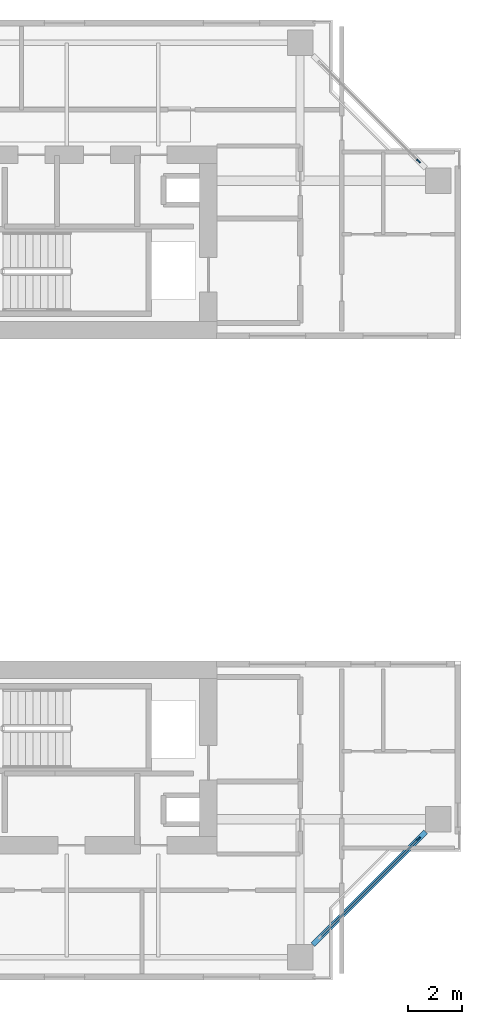
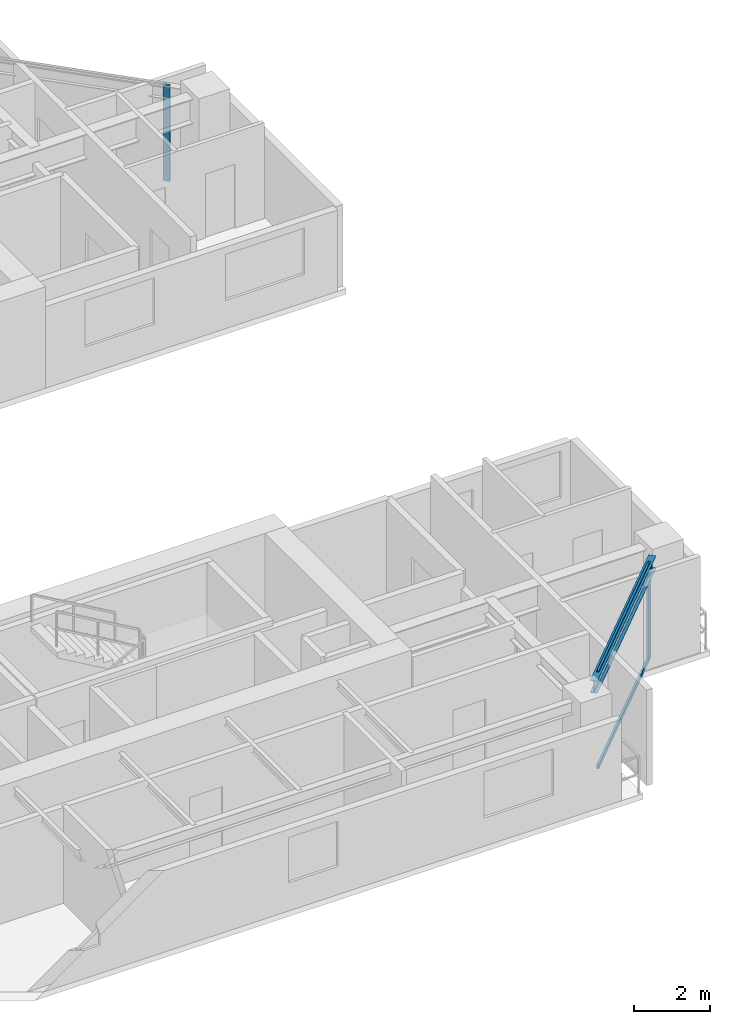
# One storey, part 4 of 12: 4 members, 1 beam, 2 elements without a shape of their own.
"""IFC4 building model written with IfcOpenShell, lengths in metres."""

import ifcopenshell
import ifcopenshell.guid

model = None  # the IFC model being written
_history = None  # IfcOwnerHistory: only IFC2X3 demands one
_inside = {}  # id of a spatial element -> (the spatial element, [elements in it])
_under = {}  # id of a project, library or spatial element -> (it, [spatial elements below it])
_declared = {}  # id of a project -> (the project, [libraries it declares])
_typed = {}  # id of a type object -> (the type object, [elements of that type])
_made_of = {}  # id of a material, layer set ... -> (it, [elements and type objects made of it])


def new_model(schema):
    """Start an empty IFC model of exactly this schema.

    Asked for "IFC4X3", IfcOpenShell would pick the latest addendum, in which some entities
    have other attributes; the version numbers below select the first issue.
    IFC2X3 requires an IfcOwnerHistory on every rooted entity: one is made here for all.
    """
    global model, _history
    if schema == "IFC4X3":
        model = ifcopenshell.file(schema_version=(4, 3, 0, 0))
    else:
        model = ifcopenshell.file(schema=schema)
    _inside.clear()
    _under.clear()
    _declared.clear()
    _typed.clear()
    _made_of.clear()
    _history = None
    if model.schema == "IFC2X3":
        org = make("IfcOrganization", Name="unknown")
        user = make(
            "IfcPersonAndOrganization",
            ThePerson=make("IfcPerson", FamilyName="unknown"),
            TheOrganization=org,
        )
        app = make(
            "IfcApplication",
            ApplicationDeveloper=org,
            Version="unknown",
            ApplicationFullName="unknown",
            ApplicationIdentifier="unknown",
        )
        _history = make(
            "IfcOwnerHistory",
            OwningUser=user,
            OwningApplication=app,
            ChangeAction="ADDED",
            CreationDate=0,
        )
    return model


def make(cls, **values):
    """One entity of the class cls with the attributes given. An attribute that is None is left unset."""
    return model.create_entity(
        cls, **{name: value for name, value in values.items() if value is not None}
    )


def rooted(cls, **values):
    """An entity with a GlobalId (a new one), such as an element, a storey or a relation."""
    return make(cls, GlobalId=ifcopenshell.guid.new(), OwnerHistory=_history, **values)


def si_unit(unit_type, name, prefix=None):
    """IfcSIUnit, for example si_unit("LENGTHUNIT", "METRE", prefix="MILLI")."""
    return make("IfcSIUnit", UnitType=unit_type, Prefix=prefix, Name=name)


def assignment(units):
    """IfcUnitAssignment: the units of a project."""
    return None if units is None else make("IfcUnitAssignment", Units=units)


def point(xyz):
    """IfcCartesianPoint."""
    return None if xyz is None else make("IfcCartesianPoint", Coordinates=xyz)


def direction(xyz):
    """IfcDirection."""
    return None if xyz is None else make("IfcDirection", DirectionRatios=xyz)


def frame(location, z_axis=None, x_axis=None):
    """IfcAxis2Placement3D, a coordinate frame: its origin and axes. An axis left out is left unset."""
    return make(
        "IfcAxis2Placement3D",
        Location=point(location),
        Axis=direction(z_axis),
        RefDirection=direction(x_axis),
    )


def frame_2d(location, x_axis=None):
    """IfcAxis2Placement2D, a coordinate frame in the plane: its origin and x axis."""
    return make(
        "IfcAxis2Placement2D", Location=point(location), RefDirection=direction(x_axis)
    )


def origin():
    """The frame at (0, 0, 0) with its axes left unset."""
    return frame((0.0, 0.0, 0.0))


def origin_2d():
    """The frame at (0, 0) in the plane with its x axis left unset."""
    return frame_2d((0.0, 0.0))


def place(relative_to, where):
    """IfcLocalPlacement: puts the frame where relative to a parent placement (None: the world)."""
    return make(
        "IfcLocalPlacement", PlacementRelTo=relative_to, RelativePlacement=where
    )


def context(
    kind, dimensions, precision=None, world=None, true_north=None, identifier=None
):
    """IfcGeometricRepresentationContext, for example the 3D "Model" context."""
    return make(
        "IfcGeometricRepresentationContext",
        ContextIdentifier=identifier,
        ContextType=kind,
        CoordinateSpaceDimension=dimensions,
        Precision=precision,
        WorldCoordinateSystem=world,
        TrueNorth=true_north,
    )


def subcontext(parent, identifier, kind, view, scale=None):
    """IfcGeometricRepresentationSubContext, for example "Body" below "Model"."""
    return make(
        "IfcGeometricRepresentationSubContext",
        ContextIdentifier=identifier,
        ContextType=kind,
        ParentContext=parent,
        TargetScale=scale,
        TargetView=view,
    )


def project(units=None, contexts=None):
    """IfcProject with its units and contexts."""
    return rooted(
        "IfcProject",
        Name="project",
        RepresentationContexts=contexts,
        UnitsInContext=assignment(units),
    )


def spatial(cls, under=None, at=None, **own):
    """A site, building, storey or space (cls), placed at a placement, below another one or the project."""
    s = rooted(cls, ObjectPlacement=at, **own)
    if under is not None:
        _under.setdefault(under.id(), (under, []))[1].append(s)
    return s


def profile(cls, at=None, kind="AREA", **sizes):
    """A parametric profile (cls). Its sizes go by their IFC names, for example OverallWidth=200.0."""
    return make(cls, ProfileType=kind, Position=at, **sizes)


def rectangle(**sizes):
    """IfcRectangleProfileDef."""
    return profile("IfcRectangleProfileDef", **sizes)


def i_section(**sizes):
    """IfcIShapeProfileDef."""
    return profile("IfcIShapeProfileDef", **sizes)


def extrude(swept, where, along, depth):
    """IfcExtrudedAreaSolid: the profile swept, set in the frame where, extruded along a direction by depth."""
    return make(
        "IfcExtrudedAreaSolid",
        SweptArea=swept,
        Position=where,
        ExtrudedDirection=direction(along),
        Depth=depth,
    )


def shape(context_of_items, identifier, shape_type, items):
    """IfcShapeRepresentation: the items that make up one representation, for example the "Body"."""
    return make(
        "IfcShapeRepresentation",
        ContextOfItems=context_of_items,
        RepresentationIdentifier=identifier,
        RepresentationType=shape_type,
        Items=items,
    )


def source(mapping_origin, context_of_items, identifier, shape_type, items):
    """IfcRepresentationMap: a shape defined once, which mapped items show again and again."""
    return make(
        "IfcRepresentationMap",
        MappingOrigin=mapping_origin,
        MappedRepresentation=shape(context_of_items, identifier, shape_type, items),
    )


def transform(
    local_origin,
    x_axis=None,
    y_axis=None,
    z_axis=None,
    scale=None,
    scale2=None,
    scale3=None,
    uniform=True,
):
    """IfcCartesianTransformationOperator3D, or its non-uniform kind. x_axis, y_axis, z_axis: its Axis1, 2, 3."""
    if uniform:
        return make(
            "IfcCartesianTransformationOperator3D",
            Axis1=direction(x_axis),
            Axis2=direction(y_axis),
            LocalOrigin=point(local_origin),
            Scale=scale,
            Axis3=direction(z_axis),
        )
    return make(
        "IfcCartesianTransformationOperator3DnonUniform",
        Axis1=direction(x_axis),
        Axis2=direction(y_axis),
        LocalOrigin=point(local_origin),
        Scale=scale,
        Axis3=direction(z_axis),
        Scale2=scale2,
        Scale3=scale3,
    )


def mapped(mapping_source, mapping_target):
    """IfcMappedItem: shows the shape of a source again, moved by a transform."""
    return make(
        "IfcMappedItem", MappingSource=mapping_source, MappingTarget=mapping_target
    )


def material(Name=None, Category=None):
    """IfcMaterial."""
    return make("IfcMaterial", Name=Name, Category=Category)


def layer(
    of_material, thickness, ventilated=None, Name=None, Category=None, Priority=None
):
    """IfcMaterialLayer: one layer of a wall or slab, of a material (None: an air gap)."""
    return make(
        "IfcMaterialLayer",
        Material=of_material,
        LayerThickness=thickness,
        IsVentilated=ventilated,
        Name=Name,
        Category=Category,
        Priority=Priority,
    )


def layer_set(layers, Name=None):
    """IfcMaterialLayerSet."""
    return make("IfcMaterialLayerSet", MaterialLayers=layers, LayerSetName=Name)


def material_profile(
    of_material, cross_section, Name=None, Category=None, Priority=None
):
    """IfcMaterialProfile: a cross section and its material."""
    return make(
        "IfcMaterialProfile",
        Name=Name,
        Material=of_material,
        Profile=cross_section,
        Priority=Priority,
        Category=Category,
    )


def profile_set(profiles, Name=None, composite=None):
    """IfcMaterialProfileSet."""
    return make(
        "IfcMaterialProfileSet",
        Name=Name,
        MaterialProfiles=profiles,
        CompositeProfile=composite,
    )


def made_of(thing, what):
    """Note that an element or type object is made of a material, layer set ...; save() writes the relation."""
    if what is not None:
        _made_of.setdefault(what.id(), (what, []))[1].append(thing)
    return thing


def type_object(cls, material=None, **own):
    """A type object (cls), such as IfcWallType, which elements share."""
    return made_of(rooted(cls, **own), material)


def element(
    cls,
    number,
    at=None,
    inside=None,
    cuts=None,
    type_object=None,
    material=None,
    context=None,
    identifier="Body",
    shape_type=None,
    held_by="IfcProductDefinitionShape",
    body=None,
    shapes=None,
    **own,
):
    """One element of the class cls, such as IfcWall. Its Tag is "e" and its number.

    at: its placement. inside: the storey or other place that contains it. cuts: it is an
    opening in that element (IfcRelVoidsElement). A single representation is given by context,
    identifier, shape_type and body (its items); several are given by shapes. held_by: the class
    of the entity that holds the representations. save() writes the other relations.
    """
    e = rooted(cls, Tag="e%d" % number, ObjectPlacement=at, **own)
    if body is not None:
        shapes = [shape(context, identifier, shape_type, body)]
    if shapes is not None:
        e.Representation = make(held_by, Representations=shapes)
    if inside is not None:
        _inside.setdefault(inside.id(), (inside, []))[1].append(e)
    if cuts is not None:
        rooted(
            "IfcRelVoidsElement", RelatingBuildingElement=cuts, RelatedOpeningElement=e
        )
    if type_object is not None:
        _typed.setdefault(type_object.id(), (type_object, []))[1].append(e)
    return made_of(e, material)


def aggregate(whole, parts):
    """IfcRelAggregates: a whole, such as a stair, and the parts it consists of."""
    return rooted("IfcRelAggregates", RelatingObject=whole, RelatedObjects=parts)


def save(model, path):
    """Write the relations noted so far, then the file.

    IfcRelAggregates (storeys below a building ...), IfcRelContainedInSpatialStructure (elements
    in a storey), IfcRelDefinesByType, IfcRelAssociatesMaterial and IfcRelDeclares: one each for
    every whole, place, type object, material and project.
    """
    for whole, parts in _under.values():
        aggregate(whole, parts)
    for where, things in _inside.values():
        rooted(
            "IfcRelContainedInSpatialStructure",
            RelatedElements=things,
            RelatingStructure=where,
        )
    for kind, things in _typed.values():
        rooted("IfcRelDefinesByType", RelatedObjects=things, RelatingType=kind)
    for what, things in _made_of.values():
        rooted("IfcRelAssociatesMaterial", RelatedObjects=things, RelatingMaterial=what)
    for by, libraries in _declared.values():
        rooted("IfcRelDeclares", RelatingContext=by, RelatedDefinitions=libraries)
    model.write(path)


model = new_model("IFC4")

# Units and contexts
model_context = context("Model", 3, precision=1e-05, world=origin(), true_north=direction((0.0, 1.0)))
body_context = subcontext(model_context, "Body", "Model", "MODEL_VIEW")
ifc_project = project(units=[si_unit("LENGTHUNIT", "METRE"), si_unit("AREAUNIT", "SQUARE_METRE"), si_unit("VOLUMEUNIT", "CUBIC_METRE"), si_unit("PLANEANGLEUNIT", "RADIAN"), si_unit("MASSUNIT", "GRAM", prefix="KILO"), si_unit("THERMODYNAMICTEMPERATUREUNIT", "KELVIN"), si_unit("POWERUNIT", "WATT")], contexts=[model_context])

# Site, building, storey
site_placement = place(None, origin())
site = spatial("IfcSite", under=ifc_project, at=site_placement, CompositionType="ELEMENT")
building_placement = place(site_placement, origin())
building = spatial("IfcBuilding", under=site, at=building_placement, Name="Qiaomeng Ring Towers", CompositionType="ELEMENT")
storey_placement = place(building_placement, frame((0.0, 0.0, 156.75)))
storey = spatial("IfcBuildingStorey", under=building, at=storey_placement, Name="L45", CompositionType="ELEMENT", Elevation=156.75)

# Beam
ifc_material_1 = material(Name="Steel Q355B", Category="steel")
ifc_material_profile_1 = material_profile(ifc_material_1, i_section(OverallWidth=0.199951171875, OverallDepth=0.39990234375, WebThickness=0.008056640625, FlangeThickness=0.012939453125, FilletRadius=0.01611328125, at=origin_2d()), Name="HN 400x200x8x13")
ifc_profile_set_1 = profile_set([ifc_material_profile_1], Name="Steel Q355B")
beam_type = type_object("IfcBeamType", Name="STR-BM-HN400", PredefinedType="SPANDREL", material=ifc_profile_set_1)
shared_shape_1 = source(origin(), body_context, "Body", "SweptSolid", [
    extrude(i_section(OverallWidth=0.199951171875, OverallDepth=0.39990234375, WebThickness=0.008056640625, FlangeThickness=0.012939453125, FilletRadius=0.01611328125, at=origin_2d()), origin(), (0.0, 0.0, 1.0), 5.941650390625),
])
beam_placement = place(storey_placement, frame((31.374267578125, 6.42431640625, 2.8701171875), z_axis=(0.707106781187, 0.707106781187, 0.0), x_axis=(-0.707106781187, 0.707106781187, 0.0)))
element("IfcBeam", 1, at=beam_placement, inside=storey, type_object=beam_type, Name="L45 beam STR-SP-L45-T1-S2-E1", PredefinedType="SPANDREL", context=body_context, shape_type="MappedRepresentation", body=[
    mapped(shared_shape_1, transform((0.0, 0.0, 0.0), x_axis=(1.0, 0.0, 0.0), y_axis=(0.0, 1.0, 0.0), z_axis=(0.0, 0.0, 1.0), scale=1.0)),
])

# Curtain wall, member
ifc_material_2 = material(Name="Fluorocarbon dark-grey aluminium", Category="aluminium")
ifc_layer = layer(ifc_material_2, 0.14990234375, Name="Fluorocarbon dark-grey aluminium")
ifc_layer_set = layer_set([ifc_layer], Name="Fluorocarbon dark-grey aluminium")
curtain_wall_type = type_object("IfcCurtainWallType", Name="ARC-CW-3", PredefinedType="NOTDEFINED", material=ifc_layer_set)
curtain_wall_1_placement = place(storey_placement, origin())
curtain_wall_1 = element("IfcCurtainWall", 2, at=curtain_wall_1_placement, inside=storey, type_object=curtain_wall_type, Name="L45 Curtain Wall CW3", PredefinedType="NOTDEFINED")
ifc_material_profile_2 = material_profile(ifc_material_2, rectangle(XDim=0.070068359375, YDim=0.179931640625, at=origin_2d()), Name="ALU MULL 70x180")
ifc_profile_set_2 = profile_set([ifc_material_profile_2], Name="Fluorocarbon dark-grey aluminium")
member_type_1 = type_object("IfcMemberType", Name="ARC-CWM-160", PredefinedType="MULLION", material=ifc_profile_set_2)
shared_shape_2 = source(origin(), body_context, "Body", "SweptSolid", [
    extrude(rectangle(XDim=0.070068359375, YDim=0.179931640625, at=origin_2d()), origin(), (0.0, 0.0, 1.0), 3.070068359375),
])
member_1_placement = place(storey_placement, frame((35.310302734375, 10.3603515625, 0.0), z_axis=(0.0, 0.0, 1.0), x_axis=(-0.707106781187, 0.707106781187, 0.0)))
member_1 = element("IfcMember", 3, at=member_1_placement, type_object=member_type_1, Name="CW3 mullion 2", PredefinedType="MULLION", context=body_context, shape_type="MappedRepresentation", body=[
    mapped(shared_shape_2, transform((0.0, 0.0, 0.0), x_axis=(1.0, 0.0, 0.0), y_axis=(0.0, 1.0, 0.0), z_axis=(0.0, 0.0, 1.0), scale=1.0)),
])

curtain_wall_2_placement = place(storey_placement, origin())
curtain_wall_2 = element("IfcCurtainWall", 4, at=curtain_wall_2_placement, inside=storey, type_object=curtain_wall_type, Name="L45 Curtain Wall CW3", PredefinedType="NOTDEFINED")
member_2_placement = place(storey_placement, frame((35.310302734375, 35.6396484375, 0.0), z_axis=(0.0, 0.0, 1.0), x_axis=(-0.707106781187, -0.707106781187, 0.0)))
member_2 = element("IfcMember", 5, at=member_2_placement, type_object=member_type_1, Name="CW3 mullion 1", PredefinedType="MULLION", context=body_context, shape_type="MappedRepresentation", body=[
    mapped(shared_shape_2, transform((0.0, 0.0, 0.0), x_axis=(1.0, 0.0, 0.0), y_axis=(0.0, 1.0, 0.0), z_axis=(0.0, 0.0, 1.0), scale=1.0)),
])
aggregate(curtain_wall_2, [member_2])

# Member
ifc_material_profile_3 = material_profile(ifc_material_2, rectangle(XDim=0.06494140625, YDim=0.1298828125, at=origin_2d()), Name="ALU TRAN 65x130")
ifc_profile_set_3 = profile_set([ifc_material_profile_3], Name="Fluorocarbon dark-grey aluminium")
member_type_2 = type_object("IfcMemberType", Name="ARC-CWT-120", PredefinedType="USERDEFINED", material=ifc_profile_set_3)
shared_shape_3 = source(origin(), body_context, "Body", "SweptSolid", [
    extrude(rectangle(XDim=0.06494140625, YDim=0.1298828125, at=origin_2d()), origin(), (0.0, 0.0, 1.0), 5.12060546875),
])
member_3_placement = place(storey_placement, frame((31.66455078125, 6.714599609375, 0.032470703125), z_axis=(0.707106781187, 0.707106781187, 0.0), x_axis=(-0.707106781187, 0.707106781187, 0.0)))
member_3 = element("IfcMember", 6, at=member_3_placement, type_object=member_type_2, Name="CW3 transom 1.1", ObjectType="TRANSOM", PredefinedType="USERDEFINED", context=body_context, shape_type="MappedRepresentation", body=[
    mapped(shared_shape_3, transform((0.0, 0.0, 0.0), x_axis=(1.0, 0.0, 0.0), y_axis=(0.0, 1.0, 0.0), z_axis=(0.0, 0.0, 1.0), scale=1.0)),
])

member_4_placement = place(storey_placement, frame((31.66455078125, 6.714599609375, 3.03759765625), z_axis=(0.707106781187, 0.707106781187, 0.0), x_axis=(-0.707106781187, 0.707106781187, 0.0)))
member_4 = element("IfcMember", 7, at=member_4_placement, type_object=member_type_2, Name="CW3 transom 1.2", ObjectType="TRANSOM", PredefinedType="USERDEFINED", context=body_context, shape_type="MappedRepresentation", body=[
    mapped(shared_shape_3, transform((0.0, 0.0, 0.0), x_axis=(1.0, 0.0, 0.0), y_axis=(0.0, 1.0, 0.0), z_axis=(0.0, 0.0, 1.0), scale=1.0)),
])

aggregate(curtain_wall_1, [member_1, member_3, member_4])

save(model, "model.ifc")
